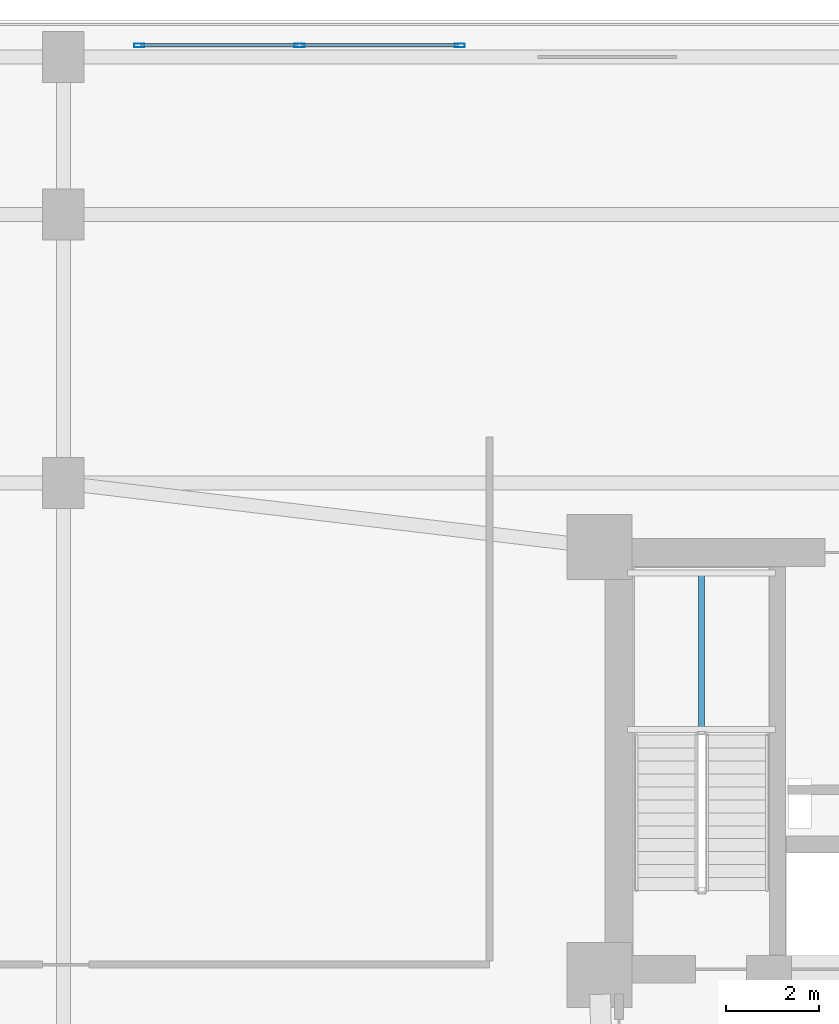
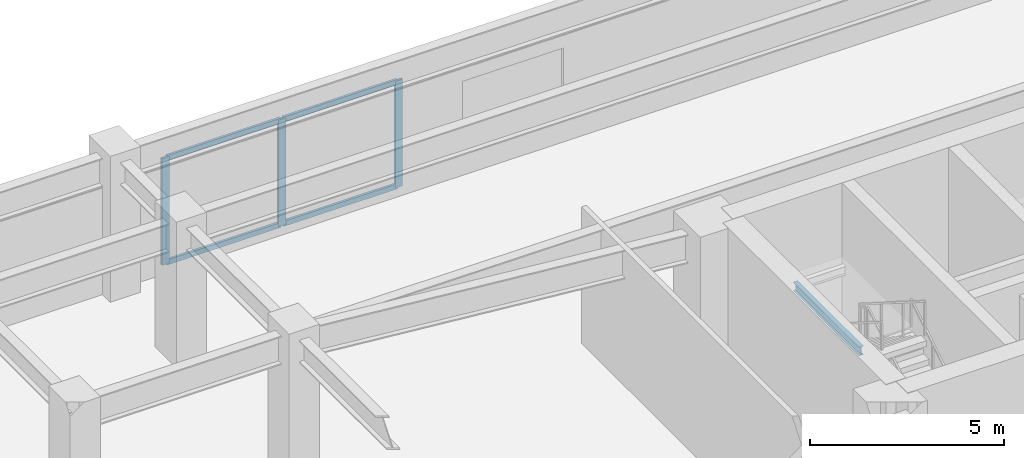
# One storey, part 3 of 12: 7 members, 1 beam, 1 element without a shape of its own.
"""IFC4 building model written with IfcOpenShell, lengths in metres."""

import ifcopenshell
import ifcopenshell.guid

model = None  # the IFC model being written
_history = None  # IfcOwnerHistory: only IFC2X3 demands one
_inside = {}  # id of a spatial element -> (the spatial element, [elements in it])
_under = {}  # id of a project, library or spatial element -> (it, [spatial elements below it])
_declared = {}  # id of a project -> (the project, [libraries it declares])
_typed = {}  # id of a type object -> (the type object, [elements of that type])
_made_of = {}  # id of a material, layer set ... -> (it, [elements and type objects made of it])


def new_model(schema):
    """Start an empty IFC model of exactly this schema.

    Asked for "IFC4X3", IfcOpenShell would pick the latest addendum, in which some entities
    have other attributes; the version numbers below select the first issue.
    IFC2X3 requires an IfcOwnerHistory on every rooted entity: one is made here for all.
    """
    global model, _history
    if schema == "IFC4X3":
        model = ifcopenshell.file(schema_version=(4, 3, 0, 0))
    else:
        model = ifcopenshell.file(schema=schema)
    _inside.clear()
    _under.clear()
    _declared.clear()
    _typed.clear()
    _made_of.clear()
    _history = None
    if model.schema == "IFC2X3":
        org = make("IfcOrganization", Name="unknown")
        user = make(
            "IfcPersonAndOrganization",
            ThePerson=make("IfcPerson", FamilyName="unknown"),
            TheOrganization=org,
        )
        app = make(
            "IfcApplication",
            ApplicationDeveloper=org,
            Version="unknown",
            ApplicationFullName="unknown",
            ApplicationIdentifier="unknown",
        )
        _history = make(
            "IfcOwnerHistory",
            OwningUser=user,
            OwningApplication=app,
            ChangeAction="ADDED",
            CreationDate=0,
        )
    return model


def make(cls, **values):
    """One entity of the class cls with the attributes given. An attribute that is None is left unset."""
    return model.create_entity(
        cls, **{name: value for name, value in values.items() if value is not None}
    )


def rooted(cls, **values):
    """An entity with a GlobalId (a new one), such as an element, a storey or a relation."""
    return make(cls, GlobalId=ifcopenshell.guid.new(), OwnerHistory=_history, **values)


def si_unit(unit_type, name, prefix=None):
    """IfcSIUnit, for example si_unit("LENGTHUNIT", "METRE", prefix="MILLI")."""
    return make("IfcSIUnit", UnitType=unit_type, Prefix=prefix, Name=name)


def assignment(units):
    """IfcUnitAssignment: the units of a project."""
    return None if units is None else make("IfcUnitAssignment", Units=units)


def point(xyz):
    """IfcCartesianPoint."""
    return None if xyz is None else make("IfcCartesianPoint", Coordinates=xyz)


def direction(xyz):
    """IfcDirection."""
    return None if xyz is None else make("IfcDirection", DirectionRatios=xyz)


def frame(location, z_axis=None, x_axis=None):
    """IfcAxis2Placement3D, a coordinate frame: its origin and axes. An axis left out is left unset."""
    return make(
        "IfcAxis2Placement3D",
        Location=point(location),
        Axis=direction(z_axis),
        RefDirection=direction(x_axis),
    )


def frame_2d(location, x_axis=None):
    """IfcAxis2Placement2D, a coordinate frame in the plane: its origin and x axis."""
    return make(
        "IfcAxis2Placement2D", Location=point(location), RefDirection=direction(x_axis)
    )


def origin():
    """The frame at (0, 0, 0) with its axes left unset."""
    return frame((0.0, 0.0, 0.0))


def origin_2d():
    """The frame at (0, 0) in the plane with its x axis left unset."""
    return frame_2d((0.0, 0.0))


def place(relative_to, where):
    """IfcLocalPlacement: puts the frame where relative to a parent placement (None: the world)."""
    return make(
        "IfcLocalPlacement", PlacementRelTo=relative_to, RelativePlacement=where
    )


def context(
    kind, dimensions, precision=None, world=None, true_north=None, identifier=None
):
    """IfcGeometricRepresentationContext, for example the 3D "Model" context."""
    return make(
        "IfcGeometricRepresentationContext",
        ContextIdentifier=identifier,
        ContextType=kind,
        CoordinateSpaceDimension=dimensions,
        Precision=precision,
        WorldCoordinateSystem=world,
        TrueNorth=true_north,
    )


def subcontext(parent, identifier, kind, view, scale=None):
    """IfcGeometricRepresentationSubContext, for example "Body" below "Model"."""
    return make(
        "IfcGeometricRepresentationSubContext",
        ContextIdentifier=identifier,
        ContextType=kind,
        ParentContext=parent,
        TargetScale=scale,
        TargetView=view,
    )


def project(units=None, contexts=None):
    """IfcProject with its units and contexts."""
    return rooted(
        "IfcProject",
        Name="project",
        RepresentationContexts=contexts,
        UnitsInContext=assignment(units),
    )


def spatial(cls, under=None, at=None, **own):
    """A site, building, storey or space (cls), placed at a placement, below another one or the project."""
    s = rooted(cls, ObjectPlacement=at, **own)
    if under is not None:
        _under.setdefault(under.id(), (under, []))[1].append(s)
    return s


def profile(cls, at=None, kind="AREA", **sizes):
    """A parametric profile (cls). Its sizes go by their IFC names, for example OverallWidth=200.0."""
    return make(cls, ProfileType=kind, Position=at, **sizes)


def hollow_rectangle(**sizes):
    """IfcRectangleHollowProfileDef."""
    return profile("IfcRectangleHollowProfileDef", **sizes)


def i_section(**sizes):
    """IfcIShapeProfileDef."""
    return profile("IfcIShapeProfileDef", **sizes)


def extrude(swept, where, along, depth):
    """IfcExtrudedAreaSolid: the profile swept, set in the frame where, extruded along a direction by depth."""
    return make(
        "IfcExtrudedAreaSolid",
        SweptArea=swept,
        Position=where,
        ExtrudedDirection=direction(along),
        Depth=depth,
    )


def shape(context_of_items, identifier, shape_type, items):
    """IfcShapeRepresentation: the items that make up one representation, for example the "Body"."""
    return make(
        "IfcShapeRepresentation",
        ContextOfItems=context_of_items,
        RepresentationIdentifier=identifier,
        RepresentationType=shape_type,
        Items=items,
    )


def material(Name=None, Category=None):
    """IfcMaterial."""
    return make("IfcMaterial", Name=Name, Category=Category)


def layer(
    of_material, thickness, ventilated=None, Name=None, Category=None, Priority=None
):
    """IfcMaterialLayer: one layer of a wall or slab, of a material (None: an air gap)."""
    return make(
        "IfcMaterialLayer",
        Material=of_material,
        LayerThickness=thickness,
        IsVentilated=ventilated,
        Name=Name,
        Category=Category,
        Priority=Priority,
    )


def layer_set(layers, Name=None):
    """IfcMaterialLayerSet."""
    return make("IfcMaterialLayerSet", MaterialLayers=layers, LayerSetName=Name)


def material_profile(
    of_material, cross_section, Name=None, Category=None, Priority=None
):
    """IfcMaterialProfile: a cross section and its material."""
    return make(
        "IfcMaterialProfile",
        Name=Name,
        Material=of_material,
        Profile=cross_section,
        Priority=Priority,
        Category=Category,
    )


def profile_set(profiles, Name=None, composite=None):
    """IfcMaterialProfileSet."""
    return make(
        "IfcMaterialProfileSet",
        Name=Name,
        MaterialProfiles=profiles,
        CompositeProfile=composite,
    )


def made_of(thing, what):
    """Note that an element or type object is made of a material, layer set ...; save() writes the relation."""
    if what is not None:
        _made_of.setdefault(what.id(), (what, []))[1].append(thing)
    return thing


def type_object(cls, material=None, **own):
    """A type object (cls), such as IfcWallType, which elements share."""
    return made_of(rooted(cls, **own), material)


def element(
    cls,
    number,
    at=None,
    inside=None,
    cuts=None,
    type_object=None,
    material=None,
    context=None,
    identifier="Body",
    shape_type=None,
    held_by="IfcProductDefinitionShape",
    body=None,
    shapes=None,
    **own,
):
    """One element of the class cls, such as IfcWall. Its Tag is "e" and its number.

    at: its placement. inside: the storey or other place that contains it. cuts: it is an
    opening in that element (IfcRelVoidsElement). A single representation is given by context,
    identifier, shape_type and body (its items); several are given by shapes. held_by: the class
    of the entity that holds the representations. save() writes the other relations.
    """
    e = rooted(cls, Tag="e%d" % number, ObjectPlacement=at, **own)
    if body is not None:
        shapes = [shape(context, identifier, shape_type, body)]
    if shapes is not None:
        e.Representation = make(held_by, Representations=shapes)
    if inside is not None:
        _inside.setdefault(inside.id(), (inside, []))[1].append(e)
    if cuts is not None:
        rooted(
            "IfcRelVoidsElement", RelatingBuildingElement=cuts, RelatedOpeningElement=e
        )
    if type_object is not None:
        _typed.setdefault(type_object.id(), (type_object, []))[1].append(e)
    return made_of(e, material)


def aggregate(whole, parts):
    """IfcRelAggregates: a whole, such as a stair, and the parts it consists of."""
    return rooted("IfcRelAggregates", RelatingObject=whole, RelatedObjects=parts)


def save(model, path):
    """Write the relations noted so far, then the file.

    IfcRelAggregates (storeys below a building ...), IfcRelContainedInSpatialStructure (elements
    in a storey), IfcRelDefinesByType, IfcRelAssociatesMaterial and IfcRelDeclares: one each for
    every whole, place, type object, material and project.
    """
    for whole, parts in _under.values():
        aggregate(whole, parts)
    for where, things in _inside.values():
        rooted(
            "IfcRelContainedInSpatialStructure",
            RelatedElements=things,
            RelatingStructure=where,
        )
    for kind, things in _typed.values():
        rooted("IfcRelDefinesByType", RelatedObjects=things, RelatingType=kind)
    for what, things in _made_of.values():
        rooted("IfcRelAssociatesMaterial", RelatedObjects=things, RelatingMaterial=what)
    for by, libraries in _declared.values():
        rooted("IfcRelDeclares", RelatingContext=by, RelatedDefinitions=libraries)
    model.write(path)


model = new_model("IFC4")

# Units and contexts
model_context = context("Model", 3, precision=1e-05, world=origin(), true_north=direction((0.0, 1.0)))
body_context = subcontext(model_context, "Body", "Model", "MODEL_VIEW")
ifc_project = project(units=[si_unit("LENGTHUNIT", "METRE"), si_unit("AREAUNIT", "SQUARE_METRE"), si_unit("VOLUMEUNIT", "CUBIC_METRE"), si_unit("PLANEANGLEUNIT", "RADIAN"), si_unit("MASSUNIT", "GRAM", prefix="KILO")], contexts=[model_context])

# Site, building, storey
site_placement = place(None, origin())
site = spatial("IfcSite", under=ifc_project, at=site_placement, CompositionType="ELEMENT")
building_placement = place(site_placement, origin())
building = spatial("IfcBuilding", under=site, at=building_placement, Name="Varnakorn Sky Granary", CompositionType="ELEMENT")
storey_placement = place(building_placement, frame((0.0, 0.0, 4.60009765625)))
storey = spatial("IfcBuildingStorey", under=building, at=storey_placement, Name="L01", CompositionType="ELEMENT", Elevation=4.60009765625)

# Beam
ifc_material_1 = material(Name="Steel S355JR", Category="steel")
ifc_material_profile_1 = material_profile(ifc_material_1, i_section(OverallWidth=0.135009765625, OverallDepth=0.27001953125, WebThickness=0.006591796875, FlangeThickness=0.01025390625, at=origin_2d()), Name="IPE 270")
ifc_profile_set_1 = profile_set([ifc_material_profile_1], Name="Steel S355JR")
beam_type = type_object("IfcBeamType", Name="BM-LND-270", PredefinedType="BEAM", material=ifc_profile_set_1)
beam_placement = place(storey_placement, frame((-0.219970703125, 8.679931640625, 1.96484375), z_axis=(0.0, 1.0, 0.0), x_axis=(-1.0, 0.0, 0.0)))
element("IfcBeam", 1, at=beam_placement, inside=storey, type_object=beam_type, Name="Stair ST-1 Landing Cross Beam C L01-1", PredefinedType="BEAM", context=body_context, shape_type="SweptSolid", body=[
    extrude(i_section(OverallWidth=0.135009765625, OverallDepth=0.27001953125, WebThickness=0.006591796875, FlangeThickness=0.01025390625, at=origin_2d()), origin(), (0.0, 0.0, 1.0), 3.380126953125),
])

# Curtain wall, members
ifc_material_2 = material(Name="Anodised Bronze Aluminium Alloy 6063-T6", Category="aluminium")
ifc_layer = layer(ifc_material_2, 0.219970703125, Name="Anodised Bronze Aluminium Alloy 6063-T6")
ifc_layer_set = layer_set([ifc_layer], Name="Anodised Bronze Aluminium Alloy 6063-T6")
curtain_wall_type = type_object("IfcCurtainWallType", Name="CW-POD-1", PredefinedType="USERDEFINED", material=ifc_layer_set)
curtain_wall_placement = place(storey_placement, origin())
curtain_wall = element("IfcCurtainWall", 2, at=curtain_wall_placement, inside=storey, type_object=curtain_wall_type, Name="Unitised Curtain Wall CW1 CW-L01-P1", ObjectType="CURTAIN WALL", PredefinedType="USERDEFINED")
ifc_material_profile_2 = material_profile(ifc_material_2, hollow_rectangle(XDim=0.074951171875, YDim=0.219970703125, WallThickness=0.00390625, at=origin_2d()), Name="ALU MULL 75x220")
ifc_profile_set_2 = profile_set([ifc_material_profile_2], Name="Anodised Bronze Aluminium Alloy 6063-T6")
member_type_1 = type_object("IfcMemberType", Name="CW-POD-1-MULL", PredefinedType="MULLION", material=ifc_profile_set_2)
member_1_placement = place(storey_placement, frame((-12.362548828125, 23.449951171875, 0.0), z_axis=(0.0, 0.0, 1.0), x_axis=(0.0, 1.0, 0.0)))
member_1 = element("IfcMember", 3, at=member_1_placement, type_object=member_type_1, Name="CW1 mullion 1", PredefinedType="MULLION", context=body_context, shape_type="SweptSolid", body=[
    extrude(hollow_rectangle(XDim=0.074951171875, YDim=0.219970703125, WallThickness=0.00390625, at=origin_2d()), origin(), (0.0, 0.0, 1.0), 3.349853515625),
])
member_2_placement = place(storey_placement, frame((-8.89990234375, 23.449951171875, 0.0), z_axis=(0.0, 0.0, 1.0), x_axis=(0.0, 1.0, 0.0)))
member_2 = element("IfcMember", 4, at=member_2_placement, type_object=member_type_1, Name="CW1 mullion 2", PredefinedType="MULLION", context=body_context, shape_type="SweptSolid", body=[
    extrude(hollow_rectangle(XDim=0.074951171875, YDim=0.219970703125, WallThickness=0.00390625, at=origin_2d()), origin(), (0.0, 0.0, 1.0), 3.349853515625),
])
member_3_placement = place(storey_placement, frame((-5.4375, 23.449951171875, 0.0), z_axis=(0.0, 0.0, 1.0), x_axis=(0.0, 1.0, 0.0)))
member_3 = element("IfcMember", 5, at=member_3_placement, type_object=member_type_1, Name="CW1 mullion 3", PredefinedType="MULLION", context=body_context, shape_type="SweptSolid", body=[
    extrude(hollow_rectangle(XDim=0.074951171875, YDim=0.219970703125, WallThickness=0.00390625, at=origin_2d()), origin(), (0.0, 0.0, 1.0), 3.349853515625),
])
ifc_material_profile_3 = material_profile(ifc_material_2, hollow_rectangle(XDim=0.074951171875, YDim=0.159912109375, WallThickness=0.00390625, at=origin_2d()), Name="ALU TRAN 75x160")
ifc_profile_set_3 = profile_set([ifc_material_profile_3], Name="Anodised Bronze Aluminium Alloy 6063-T6")
member_type_2 = type_object("IfcMemberType", Name="CW-POD-1-TRAN", PredefinedType="USERDEFINED", material=ifc_profile_set_3)
member_4_placement = place(storey_placement, frame((-12.324951171875, 23.449951171875, 0.037353515625), z_axis=(1.0, 0.0, 0.0), x_axis=(0.0, 1.0, 0.0)))
member_4 = element("IfcMember", 6, at=member_4_placement, type_object=member_type_2, Name="CW1 transom 1.1", ObjectType="TRANSOM", PredefinedType="USERDEFINED", context=body_context, shape_type="SweptSolid", body=[
    extrude(hollow_rectangle(XDim=0.074951171875, YDim=0.159912109375, WallThickness=0.00390625, at=origin_2d()), origin(), (0.0, 0.0, 1.0), 3.387451171875),
])
member_5_placement = place(storey_placement, frame((-12.324951171875, 23.449951171875, 3.3125), z_axis=(1.0, 0.0, 0.0), x_axis=(0.0, 1.0, 0.0)))
member_5 = element("IfcMember", 7, at=member_5_placement, type_object=member_type_2, Name="CW1 transom 1.2", ObjectType="TRANSOM", PredefinedType="USERDEFINED", context=body_context, shape_type="SweptSolid", body=[
    extrude(hollow_rectangle(XDim=0.074951171875, YDim=0.159912109375, WallThickness=0.00390625, at=origin_2d()), origin(), (0.0, 0.0, 1.0), 3.387451171875),
])
member_6_placement = place(storey_placement, frame((-8.862548828125, 23.449951171875, 0.037353515625), z_axis=(1.0, 0.0, 0.0), x_axis=(0.0, 1.0, 0.0)))
member_6 = element("IfcMember", 8, at=member_6_placement, type_object=member_type_2, Name="CW1 transom 2.1", ObjectType="TRANSOM", PredefinedType="USERDEFINED", context=body_context, shape_type="SweptSolid", body=[
    extrude(hollow_rectangle(XDim=0.074951171875, YDim=0.159912109375, WallThickness=0.00390625, at=origin_2d()), origin(), (0.0, 0.0, 1.0), 3.387451171875),
])
member_7_placement = place(storey_placement, frame((-8.862548828125, 23.449951171875, 3.3125), z_axis=(1.0, 0.0, 0.0), x_axis=(0.0, 1.0, 0.0)))
member_7 = element("IfcMember", 9, at=member_7_placement, type_object=member_type_2, Name="CW1 transom 2.2", ObjectType="TRANSOM", PredefinedType="USERDEFINED", context=body_context, shape_type="SweptSolid", body=[
    extrude(hollow_rectangle(XDim=0.074951171875, YDim=0.159912109375, WallThickness=0.00390625, at=origin_2d()), origin(), (0.0, 0.0, 1.0), 3.387451171875),
])
aggregate(curtain_wall, [member_1, member_2, member_3, member_4, member_5, member_6, member_7])

save(model, "model.ifc")
